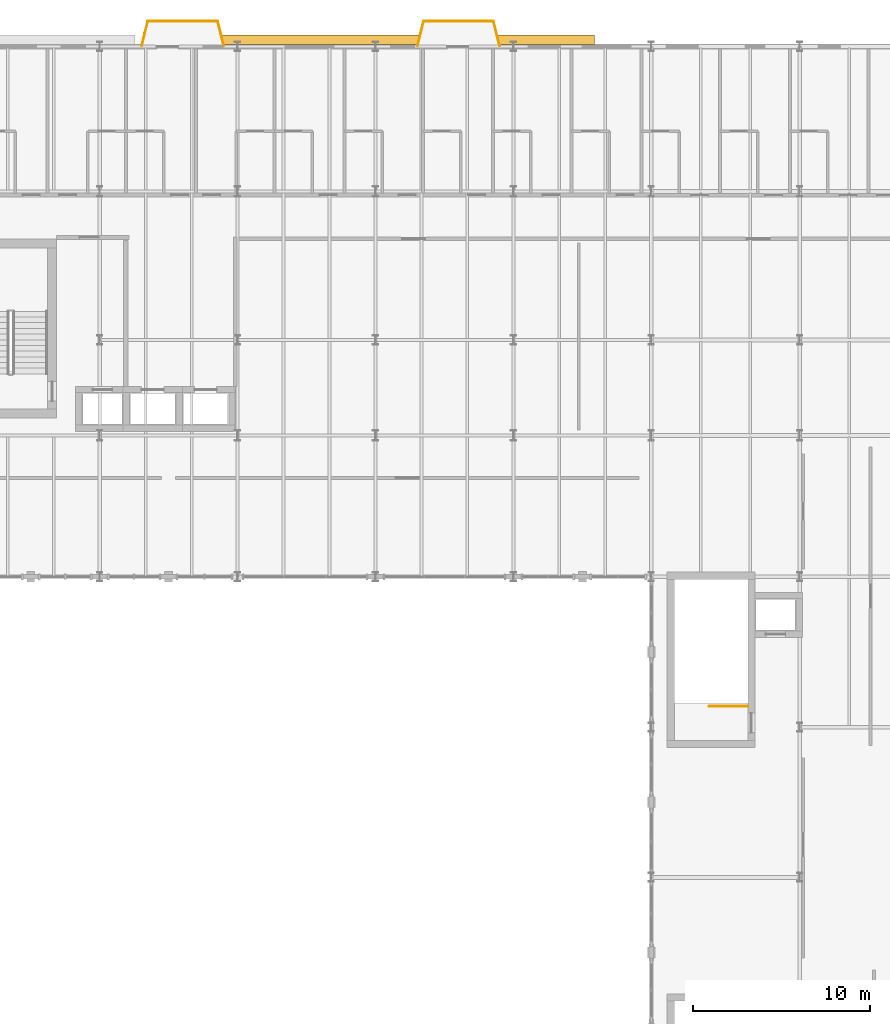
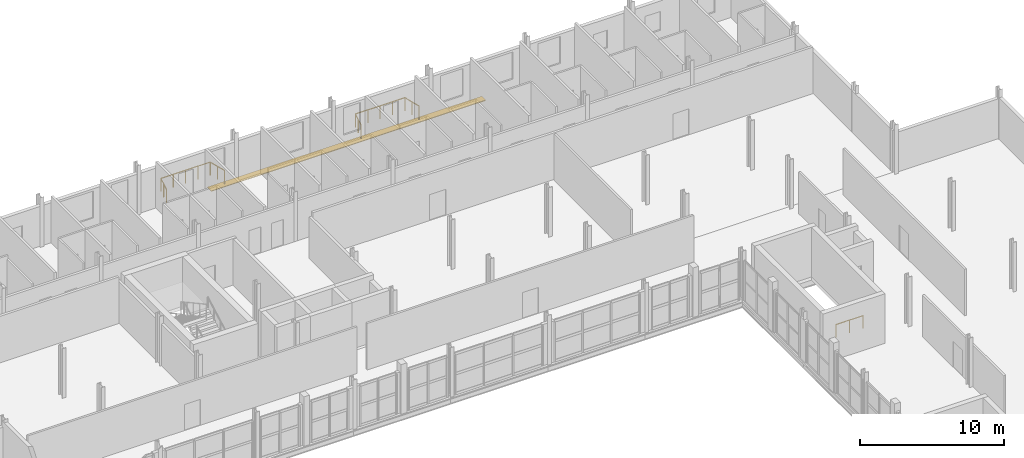
# One storey, part 45 of 45: 7 railings, 1 shading device.
"""IFC4 building model written with IfcOpenShell, lengths in metres."""

from ifc_helpers import new_model, si_unit, direction, frame, origin, origin_2d, place, context, subcontext, project, spatial, rectangle, circle, extrude, material, layer, layer_set, type_object, element, save


model = new_model("IFC4")

# Units and contexts
model_context = context("Model", 3, precision=1e-05, world=origin(), true_north=direction((0.0, 1.0)))
body_context = subcontext(model_context, "Body", "Model", "MODEL_VIEW")
ifc_project = project(units=[si_unit("LENGTHUNIT", "METRE"), si_unit("AREAUNIT", "SQUARE_METRE"), si_unit("VOLUMEUNIT", "CUBIC_METRE"), si_unit("PLANEANGLEUNIT", "RADIAN"), si_unit("MASSUNIT", "GRAM", prefix="KILO")], contexts=[model_context])

# Site, building, storey
site_placement = place(None, origin())
site = spatial("IfcSite", under=ifc_project, at=site_placement, CompositionType="ELEMENT")
building_placement = place(site_placement, origin())
building = spatial("IfcBuilding", under=site, at=building_placement, Name="Sefraquen Railside Congress Hotel", CompositionType="ELEMENT")
storey_placement = place(building_placement, frame((0.0, 0.0, 20.39990234375)))
storey = spatial("IfcBuildingStorey", under=building, at=storey_placement, Name="L04", CompositionType="ELEMENT", Elevation=20.39990234375)

# Railings
ifc_material_1 = material(Name="Patinated wrought architectural bronze", Category="metal")
railing_type = type_object("IfcRailingType", Name="TRL-BAL-110", PredefinedType="BALUSTRADE", material=ifc_material_1)
railing_1_placement = place(storey_placement, frame((74.3798828125, 118.050048828125, 0.0)))
element("IfcRailing", 1, at=railing_1_placement, inside=storey, type_object=railing_type, Name="Guest balcony Art Nouveau balustrade L04-04", PredefinedType="BALUSTRADE", context=body_context, shape_type="SweptSolid", body=[
    extrude(circle(Radius=0.02392578125, at=origin_2d()), frame((0.0, 0.0, 1.09619140625), z_axis=(0.240948040829, 0.970538016577, 0.0), x_axis=(-0.970538016577, 0.240948040829, 0.0)), (0.0, 0.0, 1.0), 1.411376953125),
    extrude(circle(Radius=0.02099609375, at=origin_2d()), origin(), (0.0, 0.0, 1.0), 1.072021484375),
    extrude(circle(Radius=0.02099609375, at=origin_2d()), frame((0.169921875, 0.68505859375, 0.0)), (0.0, 0.0, 1.0), 1.072021484375),
    extrude(circle(Radius=0.02099609375, at=origin_2d()), frame((0.340087890625, 1.369873046875, 0.0)), (0.0, 0.0, 1.0), 1.072021484375),
])
railing_2_placement = place(storey_placement, frame((74.719970703125, 119.419921875, 0.0)))
element("IfcRailing", 2, at=railing_2_placement, inside=storey, type_object=railing_type, Name="Guest balcony Art Nouveau balustrade L04-04", PredefinedType="BALUSTRADE", context=body_context, shape_type="SweptSolid", body=[
    extrude(circle(Radius=0.02392578125, at=origin_2d()), frame((0.0, 0.0, 1.09619140625), z_axis=(1.0, 0.0, 0.0), x_axis=(0.0, 1.0, 0.0)), (0.0, 0.0, 1.0), 3.9599609375),
    extrude(circle(Radius=0.02099609375, at=origin_2d()), origin(), (0.0, 0.0, 1.0), 1.072021484375),
    extrude(circle(Radius=0.02099609375, at=origin_2d()), frame((0.989990234375, 0.0, 0.0)), (0.0, 0.0, 1.0), 1.072021484375),
    extrude(circle(Radius=0.02099609375, at=origin_2d()), frame((1.97998046875, 0.0, 0.0)), (0.0, 0.0, 1.0), 1.072021484375),
    extrude(circle(Radius=0.02099609375, at=origin_2d()), frame((2.969970703125, 0.0, 0.0)), (0.0, 0.0, 1.0), 1.072021484375),
    extrude(circle(Radius=0.02099609375, at=origin_2d()), frame((3.9599609375, 0.0, 0.0)), (0.0, 0.0, 1.0), 1.072021484375),
])
railing_3_placement = place(storey_placement, frame((78.679931640625, 119.419921875, 0.0)))
element("IfcRailing", 3, at=railing_3_placement, inside=storey, type_object=railing_type, Name="Guest balcony Art Nouveau balustrade L04-04", PredefinedType="BALUSTRADE", context=body_context, shape_type="SweptSolid", body=[
    extrude(circle(Radius=0.02392578125, at=origin_2d()), frame((0.0, 0.0, 1.09619140625), z_axis=(0.240948040829, -0.970538016577, 0.0), x_axis=(0.970538016577, 0.240948040829, 0.0)), (0.0, 0.0, 1.0), 1.411376953125),
    extrude(circle(Radius=0.02099609375, at=origin_2d()), origin(), (0.0, 0.0, 1.0), 1.072021484375),
    extrude(circle(Radius=0.02099609375, at=origin_2d()), frame((0.169921875, -0.68505859375, 0.0)), (0.0, 0.0, 1.0), 1.072021484375),
    extrude(circle(Radius=0.02099609375, at=origin_2d()), frame((0.340087890625, -1.369873046875, 0.0)), (0.0, 0.0, 1.0), 1.072021484375),
])
railing_4_placement = place(storey_placement, frame((89.97998046875, 118.050048828125, 0.0)))
element("IfcRailing", 4, at=railing_4_placement, inside=storey, type_object=railing_type, Name="Guest balcony Art Nouveau balustrade L04-05", PredefinedType="BALUSTRADE", context=body_context, shape_type="SweptSolid", body=[
    extrude(circle(Radius=0.02392578125, at=origin_2d()), frame((0.0, 0.0, 1.09619140625), z_axis=(0.240948040829, 0.970538016577, 0.0), x_axis=(-0.970538016577, 0.240948040829, 0.0)), (0.0, 0.0, 1.0), 1.411376953125),
    extrude(circle(Radius=0.02099609375, at=origin_2d()), origin(), (0.0, 0.0, 1.0), 1.072021484375),
    extrude(circle(Radius=0.02099609375, at=origin_2d()), frame((0.169921875, 0.68505859375, 0.0)), (0.0, 0.0, 1.0), 1.072021484375),
    extrude(circle(Radius=0.02099609375, at=origin_2d()), frame((0.340087890625, 1.369873046875, 0.0)), (0.0, 0.0, 1.0), 1.072021484375),
])
railing_5_placement = place(storey_placement, frame((90.320068359375, 119.419921875, 0.0)))
element("IfcRailing", 5, at=railing_5_placement, inside=storey, type_object=railing_type, Name="Guest balcony Art Nouveau balustrade L04-05", PredefinedType="BALUSTRADE", context=body_context, shape_type="SweptSolid", body=[
    extrude(circle(Radius=0.02392578125, at=origin_2d()), frame((0.0, 0.0, 1.09619140625), z_axis=(1.0, 0.0, 0.0), x_axis=(0.0, 1.0, 0.0)), (0.0, 0.0, 1.0), 3.9599609375),
    extrude(circle(Radius=0.02099609375, at=origin_2d()), origin(), (0.0, 0.0, 1.0), 1.072021484375),
    extrude(circle(Radius=0.02099609375, at=origin_2d()), frame((0.989990234375, 0.0, 0.0)), (0.0, 0.0, 1.0), 1.072021484375),
    extrude(circle(Radius=0.02099609375, at=origin_2d()), frame((1.97998046875, 0.0, 0.0)), (0.0, 0.0, 1.0), 1.072021484375),
    extrude(circle(Radius=0.02099609375, at=origin_2d()), frame((2.969970703125, 0.0, 0.0)), (0.0, 0.0, 1.0), 1.072021484375),
    extrude(circle(Radius=0.02099609375, at=origin_2d()), frame((3.9599609375, 0.0, 0.0)), (0.0, 0.0, 1.0), 1.072021484375),
])
railing_6_placement = place(storey_placement, frame((94.280029296875, 119.419921875, 0.0)))
element("IfcRailing", 6, at=railing_6_placement, inside=storey, type_object=railing_type, Name="Guest balcony Art Nouveau balustrade L04-05", PredefinedType="BALUSTRADE", context=body_context, shape_type="SweptSolid", body=[
    extrude(circle(Radius=0.02392578125, at=origin_2d()), frame((0.0, 0.0, 1.09619140625), z_axis=(0.240948040829, -0.970538016577, 0.0), x_axis=(0.970538016577, 0.240948040829, 0.0)), (0.0, 0.0, 1.0), 1.411376953125),
    extrude(circle(Radius=0.02099609375, at=origin_2d()), origin(), (0.0, 0.0, 1.0), 1.072021484375),
    extrude(circle(Radius=0.02099609375, at=origin_2d()), frame((0.169921875, -0.68505859375, 0.0)), (0.0, 0.0, 1.0), 1.072021484375),
    extrude(circle(Radius=0.02099609375, at=origin_2d()), frame((0.340087890625, -1.369873046875, 0.0)), (0.0, 0.0, 1.0), 1.072021484375),
])
railing_7_placement = place(storey_placement, frame((108.659912109375, 80.679931640625, 0.0)))
element("IfcRailing", 7, at=railing_7_placement, inside=storey, type_object=railing_type, Name="L04 ST-M01 top well guard 1", PredefinedType="BALUSTRADE", context=body_context, shape_type="SweptSolid", body=[
    extrude(circle(Radius=0.02392578125, at=origin_2d()), frame((0.0, 0.0, 1.076171875), z_axis=(-1.0, 0.0, 0.0), x_axis=(0.0, -1.0, 0.0)), (0.0, 0.0, 1.0), 2.179931640625),
    extrude(circle(Radius=0.02099609375, at=origin_2d()), origin(), (0.0, 0.0, 1.0), 1.052001953125),
    extrude(circle(Radius=0.02099609375, at=origin_2d()), frame((-1.08984375, 0.0, 0.0)), (0.0, 0.0, 1.0), 1.052001953125),
    extrude(circle(Radius=0.02099609375, at=origin_2d()), frame((-2.179931640625, 0.0, 0.0)), (0.0, 0.0, 1.0), 1.052001953125),
])

# Shading device
ifc_material_2 = material(Name="Patinated architectural bronze", Category="metal")
ifc_layer = layer(ifc_material_2, 0.06005859375)
ifc_layer_set = layer_set([ifc_layer], Name="Patinated architectural bronze")
shading_device_type = type_object("IfcShadingDeviceType", Name="TSH-BS-01", PredefinedType="USERDEFINED", material=ifc_layer_set)
shading_device_placement = place(storey_placement, frame((89.0, 118.3798828125, -0.3798828125), z_axis=(0.0, 0.0, 1.0), x_axis=(1.0, 0.0, 0.0)))
element("IfcShadingDevice", 8, at=shading_device_placement, inside=storey, type_object=shading_device_type, Name="Hotel North Boulevard window sunshade L04-3", ObjectType="BRISE SOLEIL", PredefinedType="USERDEFINED", context=body_context, shape_type="SweptSolid", body=[
    extrude(rectangle(XDim=22.0, YDim=0.550048828125, at=origin_2d()), origin(), (0.0, 0.0, 1.0), 0.06005859375),
])

save(model, "model.ifc")
